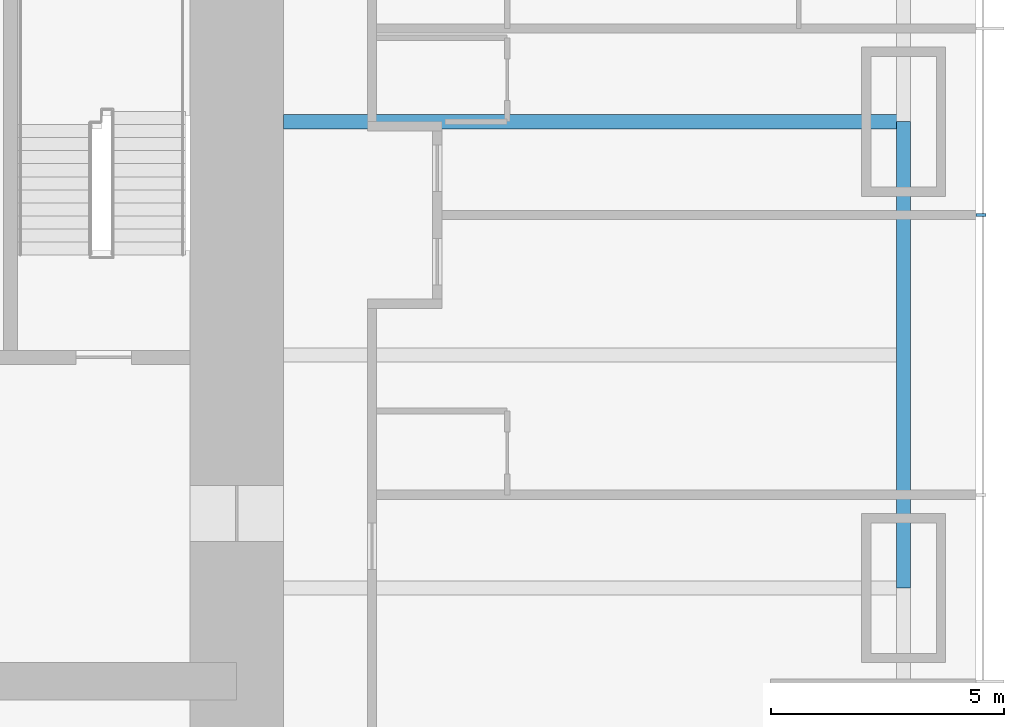
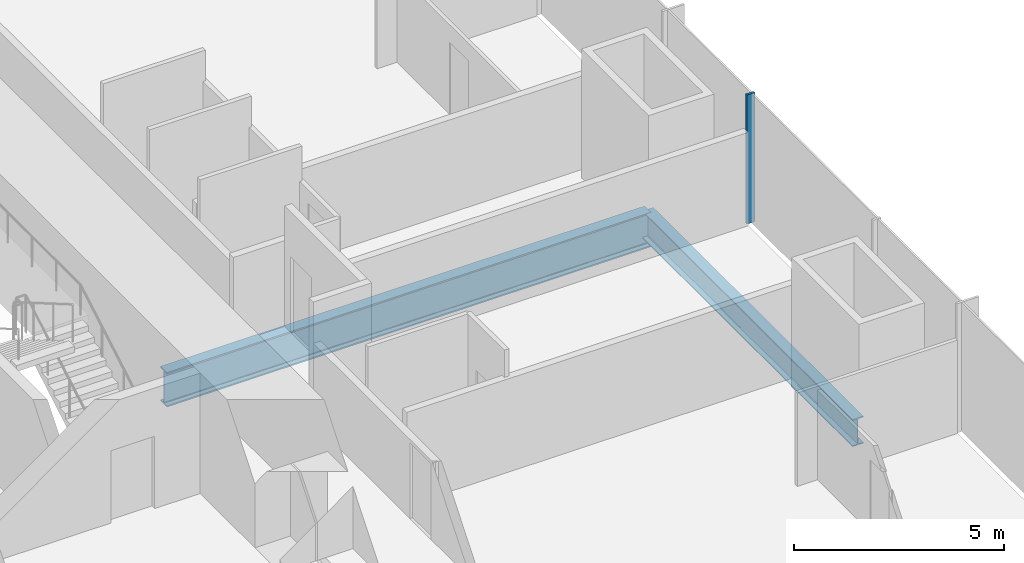
# One storey, part 5 of 16: 2 beams, 1 member, 1 element without a shape of its own.
"""IFC4 building model written with IfcOpenShell, lengths in metres."""

from ifc_helpers import new_model, si_unit, direction, frame, origin, origin_2d, place, context, subcontext, project, spatial, rectangle, i_section, extrude, material, material_profile, profile_set, type_object, element, aggregate, save


model = new_model("IFC4")

# Units and contexts
model_context = context("Model", 3, precision=1e-05, world=origin(), true_north=direction((0.0, 1.0)))
body_context = subcontext(model_context, "Body", "Model", "MODEL_VIEW")
ifc_project = project(units=[si_unit("LENGTHUNIT", "METRE"), si_unit("AREAUNIT", "SQUARE_METRE"), si_unit("VOLUMEUNIT", "CUBIC_METRE"), si_unit("PLANEANGLEUNIT", "RADIAN"), si_unit("MASSUNIT", "GRAM", prefix="KILO")], contexts=[model_context])

# Site, building, storey
site_placement = place(None, origin())
site = spatial("IfcSite", under=ifc_project, at=site_placement, CompositionType="ELEMENT")
building_placement = place(site_placement, origin())
building = spatial("IfcBuilding", under=site, at=building_placement, Name="Khuree Lantern Residences", CompositionType="ELEMENT")
storey_placement = place(building_placement, frame((0.0, 0.0, 62.25)))
storey = spatial("IfcBuildingStorey", under=building, at=storey_placement, Name="L15", CompositionType="ELEMENT", Elevation=62.25)

# Beams
ifc_material_1 = material(Name="Steel S355", Category="steel")
ifc_material_profile_1 = material_profile(ifc_material_1, i_section(OverallWidth=0.300048828125, OverallDepth=0.7900390625, WebThickness=0.014892578125, FlangeThickness=0.028076171875, FilletRadius=0.030029296875, at=origin_2d()), Name="HE 800 A")
ifc_profile_set_1 = profile_set([ifc_material_profile_1], Name="Steel S355")
beam_type_1 = type_object("IfcBeamType", Name="E-13 SPANDREL BEAM HE 800 A", PredefinedType="SPANDREL", material=ifc_profile_set_1)
beam_1_placement = place(storey_placement, frame((29.800048828125, 0.0, -0.64501953125), z_axis=(0.0, -1.0, 0.0), x_axis=(1.0, 0.0, 0.0)))
element("IfcBeam", 1, at=beam_1_placement, inside=storey, type_object=beam_type_1, Name="Spandrel beam E4", PredefinedType="SPANDREL", context=body_context, shape_type="SweptSolid", body=[
    extrude(i_section(OverallWidth=0.300048828125, OverallDepth=0.7900390625, WebThickness=0.014892578125, FlangeThickness=0.028076171875, FilletRadius=0.030029296875, at=origin_2d()), origin(), (0.0, 0.0, 1.0), 10.0),
])
ifc_material_profile_2 = material_profile(ifc_material_1, i_section(OverallWidth=0.302001953125, OverallDepth=1.008056640625, WebThickness=0.02099609375, FlangeThickness=0.0400390625, FilletRadius=0.030029296875, at=origin_2d()), Name="HE 1000 M")
ifc_profile_set_2 = profile_set([ifc_material_profile_2], Name="Steel S355")
beam_type_2 = type_object("IfcBeamType", Name="G-13 GIRDER HE 1000 M", PredefinedType="BEAM", material=ifc_profile_set_2)
beam_2_placement = place(storey_placement, frame((29.800048828125, 0.0, -0.75390625), z_axis=(-1.0, 0.0, 0.0), x_axis=(0.0, -1.0, 0.0)))
element("IfcBeam", 2, at=beam_2_placement, inside=storey, type_object=beam_type_2, Name="Girder E3", PredefinedType="BEAM", context=body_context, shape_type="SweptSolid", body=[
    extrude(i_section(OverallWidth=0.302001953125, OverallDepth=1.008056640625, WebThickness=0.02099609375, FlangeThickness=0.0400390625, FilletRadius=0.030029296875, at=origin_2d()), origin(), (0.0, 0.0, 1.0), 13.300048828125),
])

# Curtain wall, member
ifc_material_2 = material(Name="Bronze anodised aluminium", Category="aluminium")
curtain_wall_type = type_object("IfcCurtainWallType", Name="CW-T1 TOWER FACE CURTAIN WALL", PredefinedType="USERDEFINED", material=ifc_material_2)
curtain_wall_placement = place(storey_placement, origin())
curtain_wall = element("IfcCurtainWall", 3, at=curtain_wall_placement, inside=storey, type_object=curtain_wall_type, Name="L15 EAST FACE CURTAIN WALL", ObjectType="Stick-built curtain wall", PredefinedType="USERDEFINED")
ifc_material_profile_3 = material_profile(ifc_material_2, rectangle(XDim=0.06494140625, YDim=0.219970703125, at=origin_2d()), Name="M1 65X220")
ifc_profile_set_3 = profile_set([ifc_material_profile_3], Name="Bronze anodised aluminium")
member_type = type_object("IfcMemberType", Name="M1 BRONZE MULLION TOWER 65X220", PredefinedType="MULLION", material=ifc_profile_set_3)
member_placement = place(storey_placement, frame((31.4599609375, -2.0, 0.0), z_axis=(0.0, 0.0, 1.0), x_axis=(0.0, 1.0, 0.0)))
member = element("IfcMember", 4, at=member_placement, type_object=member_type, Name="L15 EAST FACE MULLION 9", PredefinedType="MULLION", context=body_context, shape_type="SweptSolid", body=[
    extrude(rectangle(XDim=0.06494140625, YDim=0.219970703125, at=origin_2d()), origin(), (0.0, 0.0, 1.0), 3.75),
])
aggregate(curtain_wall, [member])

save(model, "model.ifc")
